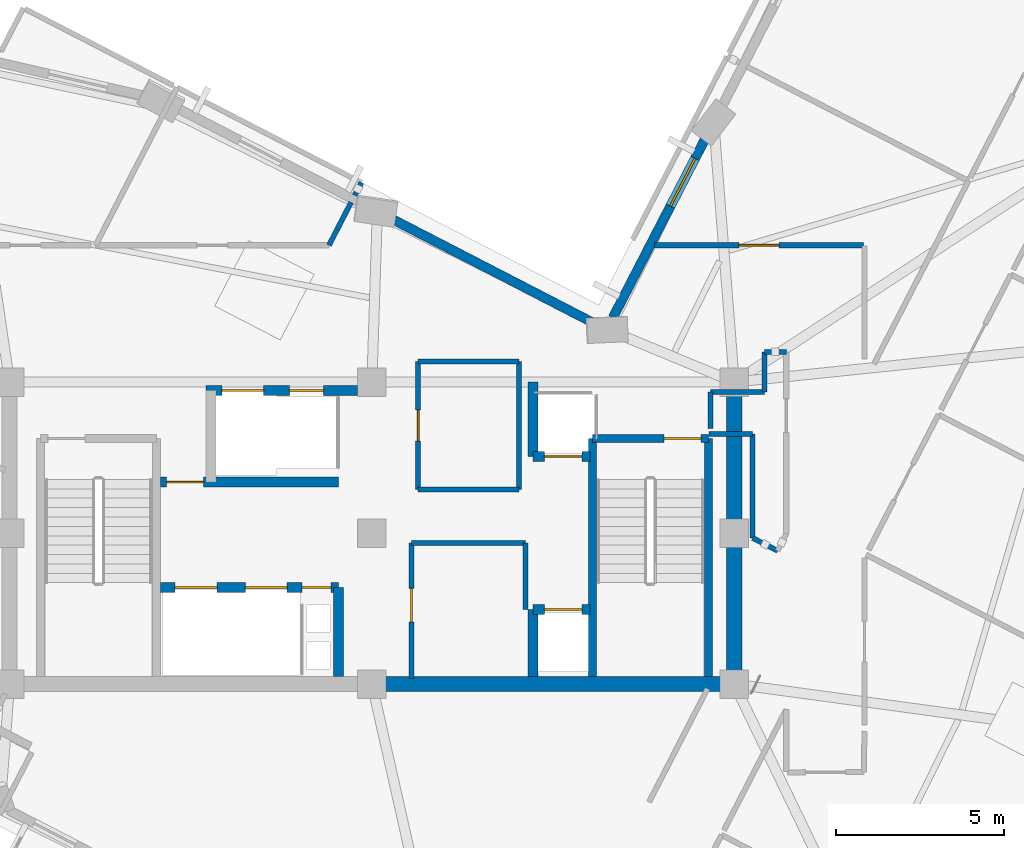
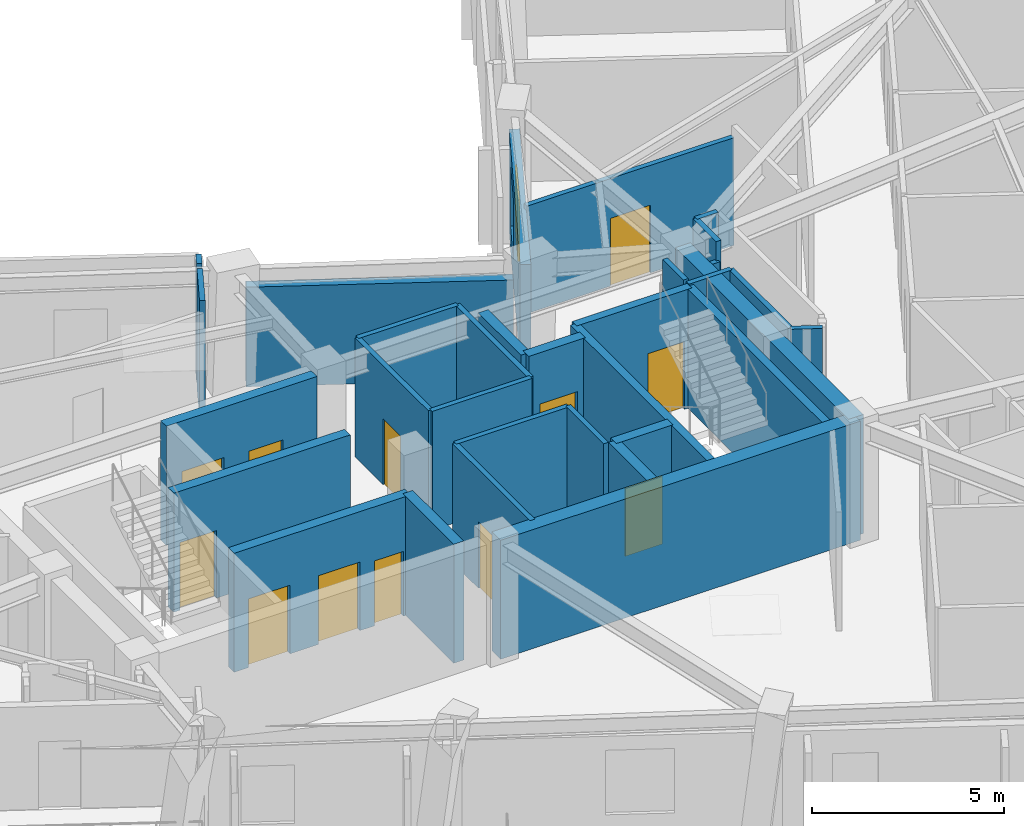
# One storey, part 6 of 11: 32 walls, 12 doors, 1 window, 13 openings.
"""IFC4 building model written with IfcOpenShell, lengths in metres."""

from ifc_helpers import new_model, si_unit, direction, frame, frame_2d, origin, place, context, subcontext, project, spatial, rectangle, extrude, material, layer, layer_set, type_object, element, fill, save


model = new_model("IFC4")

# Units and contexts
model_context = context("Model", 3, precision=1e-05, world=origin(), true_north=direction((0.0, 1.0)))
body_context = subcontext(model_context, "Body", "Model", "MODEL_VIEW")
ifc_project = project(units=[si_unit("LENGTHUNIT", "METRE"), si_unit("AREAUNIT", "SQUARE_METRE"), si_unit("VOLUMEUNIT", "CUBIC_METRE"), si_unit("PLANEANGLEUNIT", "RADIAN"), si_unit("MASSUNIT", "GRAM", prefix="KILO")], contexts=[model_context])

# Site, building, storey
site_placement = place(None, origin())
site = spatial("IfcSite", under=ifc_project, at=site_placement, CompositionType="ELEMENT")
building_placement = place(site_placement, origin())
building = spatial("IfcBuilding", under=site, at=building_placement, Name="Gaonmaruhae Medical Tower", CompositionType="ELEMENT")
storey_placement = place(building_placement, frame((0.0, 0.0, 292.60009765625)))
storey = spatial("IfcBuildingStorey", under=building, at=storey_placement, Name="L70", CompositionType="ELEMENT", Elevation=292.60009765625)

# Walls
ifc_material_1 = material(Name="Concrete C50/60", Category="concrete")
ifc_layer_1 = layer(ifc_material_1, 0.449951171875)
ifc_layer_set_1 = layer_set([ifc_layer_1], Name="Concrete C50/60")
wall_type_1 = type_object("IfcWallType", Name="CW-450 Upper Core Shear Wall", PredefinedType="SHEAR", material=ifc_layer_set_1)
wall_1_placement = place(storey_placement, frame((24.800048828125, 7.800048828125, 0.0), z_axis=(0.0, 0.0, 1.0), x_axis=(1.0, 0.0, 0.0)))
element("IfcWall", 1, at=wall_1_placement, inside=storey, type_object=wall_type_1, Name="L70 Core Shear Wall CSW-S2", PredefinedType="SHEAR", context=body_context, shape_type="SweptSolid", body=[
    extrude(rectangle(XDim=10.800048828125, YDim=0.449951171875, at=frame_2d((5.39990234375, 0.0))), origin(), (0.0, 0.0, 1.0), 3.77978515625),
])
wall_2_placement = place(storey_placement, frame((35.60009765625, 7.800048828125, 0.0), z_axis=(0.0, 0.0, 1.0), x_axis=(0.0, 1.0, 0.0)))
element("IfcWall", 2, at=wall_2_placement, inside=storey, type_object=wall_type_1, Name="L70 Core Shear Wall CSW-E1", PredefinedType="SHEAR", context=body_context, shape_type="SweptSolid", body=[
    extrude(rectangle(XDim=9.0, YDim=0.449951171875, at=frame_2d((4.5, 0.0))), origin(), (0.0, 0.0, 1.0), 3.77978515625),
])

# Wall, opening, window
ifc_material_2 = material(Name="Precast concrete C45/55", Category="concrete")
ifc_layer_2 = layer(ifc_material_2, 0.280029296875)
ifc_layer_set_2 = layer_set([ifc_layer_2], Name="Precast concrete C45/55")
wall_type_2 = type_object("IfcWallType", Name="EW-280 Upper Precast Masonry-Frame Facade Wall", PredefinedType="SOLIDWALL", material=ifc_layer_set_2)
wall_3_placement = place(storey_placement, frame((31.9814453125, 18.720703125, 0.0), z_axis=(0.0, 0.0, 1.0), x_axis=(0.458658067714, 0.888612838598, 0.0)))
wall_3 = element("IfcWall", 3, at=wall_3_placement, inside=storey, type_object=wall_type_2, Name="L70 Precast Masonry-Frame Wall EN02-KN01", PredefinedType="SOLIDWALL", context=body_context, shape_type="SweptSolid", body=[
    extrude(rectangle(XDim=6.158203125, YDim=0.280029296875, at=frame_2d((3.0791015625, 0.0))), origin(), (0.0, 0.0, 1.0), 3.264892578125),
])
opening_1_placement = place(wall_3_placement, frame((3.740966796875, 0.0, 0.75)))
opening_1 = element("IfcOpeningElement", 4, at=opening_1_placement, cuts=wall_3, Name="Opening WN-01", PredefinedType="OPENING", context=body_context, shape_type="SweptSolid", body=[
    extrude(rectangle(XDim=1.60009765625, YDim=1.949951171875, at=frame_2d((0.800048828125, 0.97509765625))), frame((0.0, 0.14990234375, 0.0), z_axis=(0.0, -1.0, 0.0), x_axis=(1.0, 0.0, 0.0)), (0.0, 0.0, 1.0), 0.300048828125),
])
ifc_material_3 = material(Name="Anodised aluminium and Low-E double glazing", Category="aluminium")
window_type = type_object("IfcWindowType", Name="WN-01 Ward Punched Acoustic Window 1600x1950", PartitioningType="SINGLE_PANEL", PredefinedType="WINDOW", material=ifc_material_3)
window_placement = place(opening_1_placement, origin())
window = element("IfcWindow", 5, at=window_placement, inside=storey, type_object=window_type, Name="L70 Modular Facade Window EN02", OverallHeight=1.949951171875, OverallWidth=1.60009765625, PartitioningType="SINGLE_PANEL", PredefinedType="WINDOW", context=body_context, shape_type="SweptSolid", body=[
    extrude(rectangle(XDim=1.60009765625, YDim=1.949951171875, at=frame_2d((0.800048828125, 0.97509765625))), frame((0.0, 0.030029296875, 0.0), z_axis=(0.0, -1.0, 0.0), x_axis=(1.0, 0.0, 0.0)), (0.0, 0.0, 1.0), 0.06005859375),
])
fill(opening_1, window)

# Wall
wall_4_placement = place(storey_placement, frame((25.3076171875, 21.708984375, 0.0), z_axis=(0.0, 0.0, 1.0), x_axis=(0.888620195741, -0.458643813565, 0.0)))
element("IfcWall", 6, at=wall_4_placement, inside=storey, type_object=wall_type_2, Name="L70 Precast Masonry-Frame Wall KN01-NE01", PredefinedType="SOLIDWALL", context=body_context, shape_type="SweptSolid", body=[
    extrude(rectangle(XDim=6.957763671875, YDim=0.280029296875, at=frame_2d((3.47900390625, 0.0))), origin(), (0.0, 0.0, 1.0), 3.164794921875),
])

# Wall, opening, door
ifc_material_4 = material(Name="Gypsum board partition", Category="gypsum")
ifc_layer_3 = layer(ifc_material_4, 0.14990234375)
ifc_layer_set_3 = layer_set([ifc_layer_3], Name="Gypsum board partition")
wall_type_3 = type_object("IfcWallType", Name="PW-150 Rated Clinical Corridor Partition", PredefinedType="PARTITIONING", material=ifc_layer_set_3)
wall_5_placement = place(storey_placement, frame((25.97998046875, 7.9599609375, 0.0), z_axis=(0.0, 0.0, 1.0), x_axis=(0.0, 1.0, 0.0)))
wall_5 = element("IfcWall", 7, at=wall_5_placement, inside=storey, type_object=wall_type_3, Name="L70 Interior Partition L70-RCL1-1", PredefinedType="PARTITIONING", context=body_context, shape_type="SweptSolid", body=[
    extrude(rectangle(XDim=4.0400390625, YDim=0.14990234375, at=frame_2d((2.02001953125, 0.0))), origin(), (0.0, 0.0, 1.0), 3.77978515625),
])
opening_2_placement = place(wall_5_placement, frame((1.695068359375, 0.0, 0.0)))
opening_2 = element("IfcOpeningElement", 8, at=opening_2_placement, cuts=wall_5, Name="Opening CD-01", PredefinedType="OPENING", context=body_context, shape_type="SweptSolid", body=[
    extrude(rectangle(XDim=1.0, YDim=2.1201171875, at=frame_2d((0.5, 1.06005859375))), frame((0.0, 0.0849609375, 0.0), z_axis=(0.0, -1.0, 0.0), x_axis=(1.0, 0.0, 0.0)), (0.0, 0.0, 1.0), 0.169921875),
])
ifc_material_5 = material(Name="Antimicrobial laminate timber fire door", Category="wood")
door_type_1 = type_object("IfcDoorType", Name="CD-01 Consultation & Physician Office Door 1000x2120", OperationType="NOTDEFINED", PredefinedType="DOOR", material=ifc_material_5)
door_1_placement = place(opening_2_placement, origin())
door_1 = element("IfcDoor", 9, at=door_1_placement, inside=storey, type_object=door_type_1, Name="L70 Clinical Telemetry and Medication Room Door", OperationType="SINGLE_SWING_RIGHT", OverallHeight=2.1201171875, OverallWidth=1.0, PredefinedType="DOOR", context=body_context, shape_type="SweptSolid", body=[
    extrude(rectangle(XDim=1.0, YDim=2.1201171875, at=frame_2d((0.5, 1.06005859375))), frame((0.0, 0.02490234375, 0.0), z_axis=(0.0, -1.0, 0.0), x_axis=(1.0, 0.0, 0.0)), (0.0, 0.0, 1.0), 0.050048828125),
])
fill(opening_2, door_1)

# Walls
wall_6_placement = place(storey_placement, frame((25.97998046875, 12.0, 0.0), z_axis=(0.0, 0.0, 1.0), x_axis=(1.0, 0.0, 0.0)))
element("IfcWall", 10, at=wall_6_placement, inside=storey, type_object=wall_type_3, Name="L70 Interior Partition L70-RCL1-2", PredefinedType="PARTITIONING", context=body_context, shape_type="SweptSolid", body=[
    extrude(rectangle(XDim=3.39990234375, YDim=0.14990234375, at=frame_2d((1.699951171875, 0.0))), origin(), (0.0, 0.0, 1.0), 3.77978515625),
])
wall_7_placement = place(storey_placement, frame((29.3798828125, 12.0, 0.0), z_axis=(0.0, 0.0, 1.0), x_axis=(0.0, -1.0, 0.0)))
element("IfcWall", 11, at=wall_7_placement, inside=storey, type_object=wall_type_3, Name="L70 Interior Partition L70-RCL1-3", PredefinedType="PARTITIONING", context=body_context, shape_type="SweptSolid", body=[
    extrude(rectangle(XDim=1.97998046875, YDim=0.14990234375, at=frame_2d((0.989990234375, 0.0))), origin(), (0.0, 0.0, 1.0), 3.77978515625),
])

# Wall, opening, door
wall_8_placement = place(storey_placement, frame((26.179931640625, 13.60009765625, 0.0), z_axis=(0.0, 0.0, 1.0), x_axis=(0.0, 1.0, 0.0)))
wall_8 = element("IfcWall", 12, at=wall_8_placement, inside=storey, type_object=wall_type_3, Name="L70 Interior Partition L70-RCL2-4", PredefinedType="PARTITIONING", context=body_context, shape_type="SweptSolid", body=[
    extrude(rectangle(XDim=3.81982421875, YDim=0.14990234375, at=frame_2d((1.909912109375, 0.0))), origin(), (0.0, 0.0, 1.0), 3.77978515625),
])
opening_3_placement = place(wall_8_placement, frame((1.449951171875, 0.0, 0.0)))
opening_3 = element("IfcOpeningElement", 13, at=opening_3_placement, cuts=wall_8, Name="Opening UD-01", PredefinedType="OPENING", context=body_context, shape_type="SweptSolid", body=[
    extrude(rectangle(XDim=0.919921875, YDim=2.10009765625, at=frame_2d((0.4599609375, 1.050048828125))), frame((0.0, 0.0849609375, 0.0), z_axis=(0.0, -1.0, 0.0), x_axis=(1.0, 0.0, 0.0)), (0.0, 0.0, 1.0), 0.169921875),
])
ifc_material_6 = material(Name="Powder-coated steel utility door", Category="steel")
door_type_2 = type_object("IfcDoorType", Name="UD-01 Toilet, Utility & Housekeeping Door 920x2100", OperationType="NOTDEFINED", PredefinedType="DOOR", material=ifc_material_6)
door_2_placement = place(opening_3_placement, origin())
door_2 = element("IfcDoor", 14, at=door_2_placement, inside=storey, type_object=door_type_2, Name="L70 Accessible Staff Toilet Door", OperationType="SINGLE_SWING_LEFT", OverallHeight=2.10009765625, OverallWidth=0.919921875, PredefinedType="DOOR", context=body_context, shape_type="SweptSolid", body=[
    extrude(rectangle(XDim=0.919921875, YDim=2.10009765625, at=frame_2d((0.4599609375, 1.050048828125))), frame((0.0, 0.02490234375, 0.0), z_axis=(0.0, -1.0, 0.0), x_axis=(1.0, 0.0, 0.0)), (0.0, 0.0, 1.0), 0.050048828125),
])
fill(opening_3, door_2)

# Walls
wall_9_placement = place(storey_placement, frame((26.179931640625, 17.419921875, 0.0), z_axis=(0.0, 0.0, 1.0), x_axis=(1.0, 0.0, 0.0)))
element("IfcWall", 15, at=wall_9_placement, inside=storey, type_object=wall_type_3, Name="L70 Interior Partition L70-RCL2-5", PredefinedType="PARTITIONING", context=body_context, shape_type="SweptSolid", body=[
    extrude(rectangle(XDim=3.0, YDim=0.14990234375, at=frame_2d((1.5, 0.0))), origin(), (0.0, 0.0, 1.0), 3.77978515625),
])
wall_10_placement = place(storey_placement, frame((29.179931640625, 17.419921875, 0.0), z_axis=(0.0, 0.0, 1.0), x_axis=(0.0, -1.0, 0.0)))
element("IfcWall", 16, at=wall_10_placement, inside=storey, type_object=wall_type_3, Name="L70 Interior Partition L70-RCL2-6", PredefinedType="PARTITIONING", context=body_context, shape_type="SweptSolid", body=[
    extrude(rectangle(XDim=3.81982421875, YDim=0.14990234375, at=frame_2d((1.909912109375, 0.0))), origin(), (0.0, 0.0, 1.0), 3.77978515625),
])
wall_11_placement = place(storey_placement, frame((29.179931640625, 13.60009765625, 0.0), z_axis=(0.0, 0.0, 1.0), x_axis=(-1.0, 0.0, 0.0)))
element("IfcWall", 17, at=wall_11_placement, inside=storey, type_object=wall_type_3, Name="L70 Interior Partition L70-RCL2-7", PredefinedType="PARTITIONING", context=body_context, shape_type="SweptSolid", body=[
    extrude(rectangle(XDim=3.0, YDim=0.14990234375, at=frame_2d((1.5, 0.0))), origin(), (0.0, 0.0, 1.0), 3.77978515625),
])
wall_12_placement = place(storey_placement, frame((34.889892578125, 15.419921875, 0.0), z_axis=(0.0, 0.0, 1.0), x_axis=(0.0, 1.0, 0.0)))
element("IfcWall", 18, at=wall_12_placement, inside=storey, type_object=wall_type_3, Name="L70 Interior Partition L70-IE02-61", PredefinedType="PARTITIONING", context=body_context, shape_type="SweptSolid", body=[
    extrude(rectangle(XDim=1.080078125, YDim=0.14990234375, at=frame_2d((0.5400390625, 0.0))), origin(), (0.0, 0.0, 1.0), 3.77978515625),
])
wall_13_placement = place(storey_placement, frame((34.889892578125, 16.5, 0.0), z_axis=(0.0, 0.0, 1.0), x_axis=(1.0, 0.0, 0.0)))
element("IfcWall", 19, at=wall_13_placement, inside=storey, type_object=wall_type_3, Name="L70 Interior Partition L70-IE02-62", PredefinedType="PARTITIONING", context=body_context, shape_type="SweptSolid", body=[
    extrude(rectangle(XDim=1.610107421875, YDim=0.14990234375, at=frame_2d((0.80517578125, 0.0))), origin(), (0.0, 0.0, 1.0), 3.164794921875),
])
wall_14_placement = place(storey_placement, frame((36.5, 16.5, 0.0), z_axis=(0.0, 0.0, 1.0), x_axis=(0.0, 1.0, 0.0)))
element("IfcWall", 20, at=wall_14_placement, inside=storey, type_object=wall_type_3, Name="L70 Interior Partition L70-IE02-63", PredefinedType="PARTITIONING", context=body_context, shape_type="SweptSolid", body=[
    extrude(rectangle(XDim=1.199951171875, YDim=0.14990234375, at=frame_2d((0.60009765625, 0.0))), origin(), (0.0, 0.0, 1.0), 3.77978515625),
])
wall_15_placement = place(storey_placement, frame((36.5, 17.699951171875, 0.0), z_axis=(0.0, 0.0, 1.0), x_axis=(1.0, 0.0, 0.0)))
element("IfcWall", 21, at=wall_15_placement, inside=storey, type_object=wall_type_3, Name="L70 Interior Partition L70-IE02-64", PredefinedType="PARTITIONING", context=body_context, shape_type="SweptSolid", body=[
    extrude(rectangle(XDim=0.64990234375, YDim=0.14990234375, at=frame_2d((0.324951171875, 0.0))), origin(), (0.0, 0.0, 1.0), 3.77978515625),
])
wall_16_placement = place(storey_placement, frame((36.89111328125, 11.77197265625, 0.0), z_axis=(0.0, 0.0, 1.0), x_axis=(-0.888378170126, 0.459112433771, 0.0)))
element("IfcWall", 22, at=wall_16_placement, inside=storey, type_object=wall_type_3, Name="L70 Interior Partition L70-IE02-67", PredefinedType="PARTITIONING", context=body_context, shape_type="SweptSolid", body=[
    extrude(rectangle(XDim=0.834228515625, YDim=0.14990234375, at=frame_2d((0.4169921875, 0.0))), origin(), (0.0, 0.0, 1.0), 3.77978515625),
])
wall_17_placement = place(storey_placement, frame((36.14990234375, 12.155029296875, 0.0), z_axis=(0.0, 0.0, 1.0), x_axis=(0.0, 1.0, 0.0)))
element("IfcWall", 23, at=wall_17_placement, inside=storey, type_object=wall_type_3, Name="L70 Interior Partition L70-IE02-68", PredefinedType="PARTITIONING", context=body_context, shape_type="SweptSolid", body=[
    extrude(rectangle(XDim=3.10498046875, YDim=0.14990234375, at=frame_2d((1.552490234375, 0.0))), origin(), (0.0, 0.0, 1.0), 3.77978515625),
])
wall_18_placement = place(storey_placement, frame((36.14990234375, 15.260009765625, 0.0), z_axis=(0.0, 0.0, 1.0), x_axis=(-1.0, 0.0, 0.0)))
element("IfcWall", 24, at=wall_18_placement, inside=storey, type_object=wall_type_3, Name="L70 Interior Partition L70-IE02-69", PredefinedType="PARTITIONING", context=body_context, shape_type="SweptSolid", body=[
    extrude(rectangle(XDim=1.2998046875, YDim=0.14990234375, at=frame_2d((0.64990234375, 0.0))), origin(), (0.0, 0.0, 1.0), 3.77978515625),
])

# Wall, opening, door
wall_19_placement = place(storey_placement, frame((39.449951171875, 20.8798828125, 0.0), z_axis=(0.0, 0.0, 1.0), x_axis=(-1.0, 0.0, 0.0)))
wall_19 = element("IfcWall", 25, at=wall_19_placement, inside=storey, type_object=wall_type_3, Name="L70 Interior Partition L70-IE03-70", PredefinedType="PARTITIONING", context=body_context, shape_type="SweptSolid", body=[
    extrude(rectangle(XDim=6.224853515625, YDim=0.14990234375, at=frame_2d((3.1123046875, 0.0))), origin(), (0.0, 0.0, 1.0), 3.414794921875),
])
opening_4_placement = place(wall_19_placement, frame((2.512451171875, 0.0, 0.0)))
opening_4 = element("IfcOpeningElement", 26, at=opening_4_placement, cuts=wall_19, Name="Opening CD-02", PredefinedType="OPENING", context=body_context, shape_type="SweptSolid", body=[
    extrude(rectangle(XDim=1.199951171875, YDim=2.14990234375, at=frame_2d((0.60009765625, 1.074951171875))), frame((0.0, 0.0849609375, 0.0), z_axis=(0.0, -1.0, 0.0), x_axis=(1.0, 0.0, 0.0)), (0.0, 0.0, 1.0), 0.169921875),
])
door_type_3 = type_object("IfcDoorType", Name="CD-02 Clinical Treatment & Procedure Door 1200x2150", OperationType="NOTDEFINED", PredefinedType="DOOR", material=ifc_material_5)
door_3_placement = place(opening_4_placement, origin())
door_3 = element("IfcDoor", 27, at=door_3_placement, inside=storey, type_object=door_type_3, Name="L70 Clean Medication Preparation Room Door", OperationType="SINGLE_SWING_RIGHT", OverallHeight=2.14990234375, OverallWidth=1.199951171875, PredefinedType="DOOR", context=body_context, shape_type="SweptSolid", body=[
    extrude(rectangle(XDim=1.199951171875, YDim=2.14990234375, at=frame_2d((0.60009765625, 1.074951171875))), frame((0.0, 0.02490234375, 0.0), z_axis=(0.0, -1.0, 0.0), x_axis=(1.0, 0.0, 0.0)), (0.0, 0.0, 1.0), 0.050048828125),
])
fill(opening_4, door_3)

# Walls
wall_20_placement = place(storey_placement, frame((24.486083984375, 22.751953125, 0.0), z_axis=(0.0, 0.0, 1.0), x_axis=(-0.460415496912, -0.887703537339, 0.0)))
element("IfcWall", 28, at=wall_20_placement, inside=storey, type_object=wall_type_3, Name="L70 Interior Partition L70-IN02-88", PredefinedType="PARTITIONING", context=body_context, shape_type="SweptSolid", body=[
    extrude(rectangle(XDim=0.434814453125, YDim=0.14990234375, at=frame_2d((0.21728515625, 0.0))), origin(), (0.0, 0.0, 1.0), 3.77978515625),
])
wall_21_placement = place(storey_placement, frame((24.180908203125, 22.160888671875, 0.0), z_axis=(0.0, 0.0, 1.0), x_axis=(-0.459026734085, -0.888422454351, 0.0)))
element("IfcWall", 29, at=wall_21_placement, inside=storey, type_object=wall_type_3, Name="L70 Interior Partition L70-IN02-89", PredefinedType="PARTITIONING", context=body_context, shape_type="SweptSolid", body=[
    extrude(rectangle(XDim=1.44189453125, YDim=0.14990234375, at=frame_2d((0.720947265625, 0.0))), origin(), (0.0, 0.0, 1.0), 3.77978515625),
])

# Wall, opening, door
ifc_layer_4 = layer(ifc_material_1, 0.239990234375)
ifc_layer_set_4 = layer_set([ifc_layer_4], Name="Concrete C50/60")
wall_type_4 = type_object("IfcWallType", Name="SW-240 Dogleg Stair Tight Shaft Wall", PredefinedType="SOLIDWALL", material=ifc_layer_set_4)
wall_22_placement = place(storey_placement, frame((31.3701171875, 15.1201171875, 0.0), z_axis=(0.0, 0.0, 1.0), x_axis=(1.0, 0.0, 0.0)))
wall_22 = element("IfcWall", 30, at=wall_22_placement, inside=storey, type_object=wall_type_4, Name="L70 ST-02 Stair Shaft Wall SHW-ST-02-N", PredefinedType="SOLIDWALL", context=body_context, shape_type="SweptSolid", body=[
    extrude(rectangle(XDim=3.4599609375, YDim=0.239990234375, at=frame_2d((1.72998046875, 0.0))), origin(), (0.0, 0.0, 1.0), 3.77978515625),
])
opening_5_placement = place(wall_22_placement, frame((2.139892578125, 0.0, 0.0)))
opening_5 = element("IfcOpeningElement", 31, at=opening_5_placement, cuts=wall_22, Name="Opening FD-01", PredefinedType="OPENING", context=body_context, shape_type="SweptSolid", body=[
    extrude(rectangle(XDim=1.10009765625, YDim=2.14990234375, at=frame_2d((0.550048828125, 1.074951171875))), frame((0.0, 0.1298828125, 0.0), z_axis=(0.0, -1.0, 0.0), x_axis=(1.0, 0.0, 0.0)), (0.0, 0.0, 1.0), 0.260009765625),
])
ifc_material_7 = material(Name="Powder-coated steel fire door", Category="steel")
door_type_4 = type_object("IfcDoorType", Name="FD-01 Escape Stair Protected Fire Door 1100x2150", OperationType="NOTDEFINED", PredefinedType="DOOR", material=ifc_material_7)
door_4_placement = place(opening_5_placement, origin())
door_4 = element("IfcDoor", 32, at=door_4_placement, inside=storey, type_object=door_type_4, Name="L70 ST-02 Protected Escape Stair Door", OperationType="SINGLE_SWING_LEFT", OverallHeight=2.14990234375, OverallWidth=1.10009765625, PredefinedType="DOOR", context=body_context, shape_type="SweptSolid", body=[
    extrude(rectangle(XDim=1.10009765625, YDim=2.14990234375, at=frame_2d((0.550048828125, 1.074951171875))), frame((0.0, 0.02490234375, 0.0), z_axis=(0.0, -1.0, 0.0), x_axis=(1.0, 0.0, 0.0)), (0.0, 0.0, 1.0), 0.050048828125),
])
fill(opening_5, door_4)

# Walls
for number, where, z_axis, x_axis, name in (
    (33, (34.830078125, 15.1201171875, 0.0), (0.0, 0.0, 1.0), (0.0, -1.0, 0.0), "L70 ST-02 Stair Shaft Wall SHW-ST-02-E"),
    (34, (31.3701171875, 8.02490234375, 0.0), (0.0, 0.0, 1.0), (0.0, 1.0, 0.0), "L70 ST-02 Stair Shaft Wall SHW-ST-02-W"),
):
    element("IfcWall", number, at=place(storey_placement, frame(where, z_axis=z_axis, x_axis=x_axis)), inside=storey, type_object=wall_type_4, Name=name, PredefinedType="SOLIDWALL", context=body_context, shape_type="SweptSolid", body=[
        extrude(rectangle(XDim=7.09521484375, YDim=0.239990234375, at=frame_2d((3.547607421875, 0.0))), origin(), (0.0, 0.0, 1.0), 3.77978515625),
    ])

# Wall, openings, doors
ifc_layer_5 = layer(ifc_material_1, 0.300048828125)
ifc_layer_set_5 = layer_set([ifc_layer_5], Name="Concrete C50/60")
wall_type_5 = type_object("IfcWallType", Name="SW-300 Stair & Lift Hoistway Shaft Wall", PredefinedType="SOLIDWALL", material=ifc_layer_set_5)
wall_23_placement = place(storey_placement, frame((19.85009765625, 16.550048828125, 0.0), z_axis=(0.0, 0.0, 1.0), x_axis=(1.0, 0.0, 0.0)))
wall_23 = element("IfcWall", 35, at=wall_23_placement, inside=storey, type_object=wall_type_5, Name="L70 Core Shear Wall CSW-NB", PredefinedType="SOLIDWALL", context=body_context, shape_type="SweptSolid", body=[
    extrude(rectangle(XDim=4.52490234375, YDim=0.300048828125, at=frame_2d((2.262451171875, 0.0))), origin(), (0.0, 0.0, 1.0), 3.77978515625),
])
opening_6_placement = place(wall_23_placement, frame((0.47509765625, 0.0, 0.0)))
opening_6 = element("IfcOpeningElement", 36, at=opening_6_placement, cuts=wall_23, Name="Opening LD-F1", PredefinedType="OPENING", context=body_context, shape_type="SweptSolid", body=[
    extrude(rectangle(XDim=1.25, YDim=2.179931640625, at=frame_2d((0.625, 1.08984375))), frame((0.0, 0.16015625, 0.0), z_axis=(0.0, -1.0, 0.0), x_axis=(1.0, 0.0, 0.0)), (0.0, 0.0, 1.0), 0.320068359375),
])
opening_7_placement = place(wall_23_placement, frame((2.489990234375, 0.0, 0.0)))
opening_7 = element("IfcOpeningElement", 37, at=opening_7_placement, cuts=wall_23, Name="Opening LD-S1", PredefinedType="OPENING", context=body_context, shape_type="SweptSolid", body=[
    extrude(rectangle(XDim=1.02001953125, YDim=2.1201171875, at=frame_2d((0.510009765625, 1.06005859375))), frame((0.0, 0.16015625, 0.0), z_axis=(0.0, -1.0, 0.0), x_axis=(1.0, 0.0, 0.0)), (0.0, 0.0, 1.0), 0.320068359375),
])
ifc_material_8 = material(Name="Brushed stainless steel 316L landing door", Category="steel")
door_type_5 = type_object("IfcDoorType", Name="LD-F1 Firefighting & Bed Lift Sliding Landing Door 1250x2180", OperationType="NOTDEFINED", PredefinedType="DOOR", material=ifc_material_8)
door_5_placement = place(opening_6_placement, origin())
door_5 = element("IfcDoor", 38, at=door_5_placement, inside=storey, type_object=door_type_5, Name="L70 Service/Bed Lift Landing Door BDL-01", OperationType="DOUBLE_DOOR_SLIDING", OverallHeight=2.179931640625, OverallWidth=1.25, PredefinedType="DOOR", context=body_context, shape_type="SweptSolid", body=[
    extrude(rectangle(XDim=1.25, YDim=2.179931640625, at=frame_2d((0.625, 1.08984375))), frame((0.0, 0.02490234375, 0.0), z_axis=(0.0, -1.0, 0.0), x_axis=(1.0, 0.0, 0.0)), (0.0, 0.0, 1.0), 0.050048828125),
])
fill(opening_6, door_5)
ifc_material_9 = material(Name="Brushed stainless steel 304 landing door", Category="steel")
door_type_6 = type_object("IfcDoorType", Name="LD-S1 Service Lift Sliding Landing Door 1020x2120", OperationType="NOTDEFINED", PredefinedType="DOOR", material=ifc_material_9)
door_6_placement = place(opening_7_placement, origin())
door_6 = element("IfcDoor", 39, at=door_6_placement, inside=storey, type_object=door_type_6, Name="L70 Service/Bed Lift Landing Door SVL-01", OperationType="SLIDING_TO_LEFT", OverallHeight=2.1201171875, OverallWidth=1.02001953125, PredefinedType="DOOR", context=body_context, shape_type="SweptSolid", body=[
    extrude(rectangle(XDim=1.02001953125, YDim=2.1201171875, at=frame_2d((0.510009765625, 1.06005859375))), frame((0.0, 0.02490234375, 0.0), z_axis=(0.0, -1.0, 0.0), x_axis=(1.0, 0.0, 0.0)), (0.0, 0.0, 1.0), 0.050048828125),
])
fill(opening_7, door_6)

wall_24_placement = place(storey_placement, frame((18.5, 10.679931640625, 0.0), z_axis=(0.0, 0.0, 1.0), x_axis=(1.0, 0.0, 0.0)))
wall_24 = element("IfcWall", 40, at=wall_24_placement, inside=storey, type_object=wall_type_5, Name="L70 Shaft Enclosure Wall SHW-FFN", PredefinedType="SOLIDWALL", context=body_context, shape_type="SweptSolid", body=[
    extrude(rectangle(XDim=5.300048828125, YDim=0.300048828125, at=frame_2d((2.64990234375, 0.0))), origin(), (0.0, 0.0, 1.0), 3.77978515625),
])
opening_8_placement = place(wall_24_placement, frame((4.219970703125, 0.0, 0.0)))
opening_8 = element("IfcOpeningElement", 41, at=opening_8_placement, cuts=wall_24, Name="Opening AD-01", PredefinedType="OPENING", context=body_context, shape_type="SweptSolid", body=[
    extrude(rectangle(XDim=0.860107421875, YDim=2.06005859375, at=frame_2d((0.43017578125, 1.030029296875))), frame((0.0, 0.16015625, 0.0), z_axis=(0.0, -1.0, 0.0), x_axis=(1.0, 0.0, 0.0)), (0.0, 0.0, 1.0), 0.320068359375),
])
opening_9_placement = place(wall_24_placement, frame((0.425048828125, 0.0, 0.0)))
opening_9 = element("IfcOpeningElement", 42, at=opening_9_placement, cuts=wall_24, Name="Opening LD-F1", PredefinedType="OPENING", context=body_context, shape_type="SweptSolid", body=[
    extrude(rectangle(XDim=1.25, YDim=2.179931640625, at=frame_2d((0.625, 1.08984375))), frame((0.0, 0.16015625, 0.0), z_axis=(0.0, -1.0, 0.0), x_axis=(1.0, 0.0, 0.0)), (0.0, 0.0, 1.0), 0.320068359375),
])
opening_10_placement = place(wall_24_placement, frame((2.52490234375, 0.0, 0.0)))
opening_10 = element("IfcOpeningElement", 43, at=opening_10_placement, cuts=wall_24, Name="Opening LD-F1", PredefinedType="OPENING", context=body_context, shape_type="SweptSolid", body=[
    extrude(rectangle(XDim=1.25, YDim=2.179931640625, at=frame_2d((0.625, 1.08984375))), frame((0.0, 0.16015625, 0.0), z_axis=(0.0, -1.0, 0.0), x_axis=(1.0, 0.0, 0.0)), (0.0, 0.0, 1.0), 0.320068359375),
])
ifc_material_10 = material(Name="Powder-coated steel access door", Category="steel")
door_type_7 = type_object("IfcDoorType", Name="AD-01 Riser & Closet Access Fire Door 860x2060", OperationType="NOTDEFINED", PredefinedType="DOOR", material=ifc_material_10)
door_7_placement = place(opening_8_placement, origin())
door_7 = element("IfcDoor", 44, at=door_7_placement, inside=storey, type_object=door_type_7, Name="L70 Medical Gas and MEP Riser Access Door", OperationType="SINGLE_SWING_RIGHT", OverallHeight=2.06005859375, OverallWidth=0.860107421875, PredefinedType="DOOR", context=body_context, shape_type="SweptSolid", body=[
    extrude(rectangle(XDim=0.860107421875, YDim=2.06005859375, at=frame_2d((0.43017578125, 1.030029296875))), frame((0.0, 0.02490234375, 0.0), z_axis=(0.0, -1.0, 0.0), x_axis=(1.0, 0.0, 0.0)), (0.0, 0.0, 1.0), 0.050048828125),
])
fill(opening_8, door_7)
door_8_placement = place(opening_9_placement, origin())
door_8 = element("IfcDoor", 45, at=door_8_placement, inside=storey, type_object=door_type_5, Name="L70 Firefighting Lift Landing Door FFL-01", OperationType="DOUBLE_DOOR_SLIDING", OverallHeight=2.179931640625, OverallWidth=1.25, PredefinedType="DOOR", context=body_context, shape_type="SweptSolid", body=[
    extrude(rectangle(XDim=1.25, YDim=2.179931640625, at=frame_2d((0.625, 1.08984375))), frame((0.0, 0.02490234375, 0.0), z_axis=(0.0, -1.0, 0.0), x_axis=(1.0, 0.0, 0.0)), (0.0, 0.0, 1.0), 0.050048828125),
])
fill(opening_9, door_8)
door_9_placement = place(opening_10_placement, origin())
door_9 = element("IfcDoor", 46, at=door_9_placement, inside=storey, type_object=door_type_5, Name="L70 Firefighting Lift Landing Door FFL-02", OperationType="DOUBLE_DOOR_SLIDING", OverallHeight=2.179931640625, OverallWidth=1.25, PredefinedType="DOOR", context=body_context, shape_type="SweptSolid", body=[
    extrude(rectangle(XDim=1.25, YDim=2.179931640625, at=frame_2d((0.625, 1.08984375))), frame((0.0, 0.02490234375, 0.0), z_axis=(0.0, -1.0, 0.0), x_axis=(1.0, 0.0, 0.0)), (0.0, 0.0, 1.0), 0.050048828125),
])
fill(opening_10, door_9)

# Wall, opening, door
wall_25_placement = place(storey_placement, frame((18.5, 13.820068359375, 0.0), z_axis=(0.0, 0.0, 1.0), x_axis=(1.0, 0.0, 0.0)))
wall_25 = element("IfcWall", 47, at=wall_25_placement, inside=storey, type_object=wall_type_5, Name="L70 Shaft Enclosure Wall SHW-FFL", PredefinedType="SOLIDWALL", context=body_context, shape_type="SweptSolid", body=[
    extrude(rectangle(XDim=5.300048828125, YDim=0.300048828125, at=frame_2d((2.64990234375, 0.0))), origin(), (0.0, 0.0, 1.0), 3.77978515625),
])
opening_11_placement = place(wall_25_placement, frame((0.179931640625, 0.0, 0.0)))
opening_11 = element("IfcOpeningElement", 48, at=opening_11_placement, cuts=wall_25, Name="Opening FD-01", PredefinedType="OPENING", context=body_context, shape_type="SweptSolid", body=[
    extrude(rectangle(XDim=1.10009765625, YDim=2.14990234375, at=frame_2d((0.550048828125, 1.074951171875))), frame((0.0, 0.16015625, 0.0), z_axis=(0.0, -1.0, 0.0), x_axis=(1.0, 0.0, 0.0)), (0.0, 0.0, 1.0), 0.320068359375),
])
door_10_placement = place(opening_11_placement, origin())
door_10 = element("IfcDoor", 49, at=door_10_placement, inside=storey, type_object=door_type_4, Name="L70 Firefighting Lobby Smoke Door", OperationType="SINGLE_SWING_LEFT", OverallHeight=2.14990234375, OverallWidth=1.10009765625, PredefinedType="DOOR", context=body_context, shape_type="SweptSolid", body=[
    extrude(rectangle(XDim=1.10009765625, YDim=2.14990234375, at=frame_2d((0.550048828125, 1.074951171875))), frame((0.0, 0.02490234375, 0.0), z_axis=(0.0, -1.0, 0.0), x_axis=(1.0, 0.0, 0.0)), (0.0, 0.0, 1.0), 0.050048828125),
])
fill(opening_11, door_10)

# Wall
wall_26_placement = place(storey_placement, frame((23.800048828125, 8.02490234375, 0.0), z_axis=(0.0, 0.0, 1.0), x_axis=(0.0, 1.0, 0.0)))
element("IfcWall", 50, at=wall_26_placement, inside=storey, type_object=wall_type_5, Name="L70 Shaft Enclosure Wall SHW-FFE", PredefinedType="SOLIDWALL", context=body_context, shape_type="SweptSolid", body=[
    extrude(rectangle(XDim=2.655029296875, YDim=0.300048828125, at=frame_2d((1.32763671875, 0.0))), origin(), (0.0, 0.0, 1.0), 3.77978515625),
])

# Wall, opening, door
wall_27_placement = place(storey_placement, frame((29.60009765625, 10.02001953125, 0.0), z_axis=(0.0, 0.0, 1.0), x_axis=(1.0, 0.0, 0.0)))
wall_27 = element("IfcWall", 51, at=wall_27_placement, inside=storey, type_object=wall_type_5, Name="L70 Shaft Enclosure Wall SHW-PLS", PredefinedType="SOLIDWALL", context=body_context, shape_type="SweptSolid", body=[
    extrude(rectangle(XDim=1.699951171875, YDim=0.300048828125, at=frame_2d((0.85009765625, 0.0))), origin(), (0.0, 0.0, 1.0), 3.77978515625),
])
opening_12_placement = place(wall_27_placement, frame((0.340087890625, 0.0, 0.0)))
opening_12 = element("IfcOpeningElement", 52, at=opening_12_placement, cuts=wall_27, Name="Opening LD-P1", PredefinedType="OPENING", context=body_context, shape_type="SweptSolid", body=[
    extrude(rectangle(XDim=1.1201171875, YDim=2.14990234375, at=frame_2d((0.56005859375, 1.074951171875))), frame((0.0, 0.16015625, 0.0), z_axis=(0.0, -1.0, 0.0), x_axis=(1.0, 0.0, 0.0)), (0.0, 0.0, 1.0), 0.320068359375),
])
door_type_8 = type_object("IfcDoorType", Name="LD-P1 Passenger Lift Sliding Landing Door 1120x2150", OperationType="NOTDEFINED", PredefinedType="DOOR", material=ifc_material_9)
door_11_placement = place(opening_12_placement, origin())
door_11 = element("IfcDoor", 53, at=door_11_placement, inside=storey, type_object=door_type_8, Name="L70 Passenger Lift Landing Door PL-H1", OperationType="DOUBLE_DOOR_SLIDING", OverallHeight=2.14990234375, OverallWidth=1.1201171875, PredefinedType="DOOR", context=body_context, shape_type="SweptSolid", body=[
    extrude(rectangle(XDim=1.1201171875, YDim=2.14990234375, at=frame_2d((0.56005859375, 1.074951171875))), frame((0.0, 0.02490234375, 0.0), z_axis=(0.0, -1.0, 0.0), x_axis=(1.0, 0.0, 0.0)), (0.0, 0.0, 1.0), 0.050048828125),
])
fill(opening_12, door_11)

# Wall
wall_28_placement = place(storey_placement, frame((29.60009765625, 8.02490234375, 0.0), z_axis=(0.0, 0.0, 1.0), x_axis=(0.0, 1.0, 0.0)))
element("IfcWall", 54, at=wall_28_placement, inside=storey, type_object=wall_type_5, Name="L70 Shaft Enclosure Wall SHW-PLD1", PredefinedType="SOLIDWALL", context=body_context, shape_type="SweptSolid", body=[
    extrude(rectangle(XDim=1.9951171875, YDim=0.300048828125, at=frame_2d((0.99755859375, 0.0))), origin(), (0.0, 0.0, 1.0), 3.77978515625),
])

# Wall, opening, door
wall_29_placement = place(storey_placement, frame((29.60009765625, 14.580078125, 0.0), z_axis=(0.0, 0.0, 1.0), x_axis=(1.0, 0.0, 0.0)))
wall_29 = element("IfcWall", 55, at=wall_29_placement, inside=storey, type_object=wall_type_5, Name="L70 Shaft Enclosure Wall SHW-PLN", PredefinedType="SOLIDWALL", context=body_context, shape_type="SweptSolid", body=[
    extrude(rectangle(XDim=1.699951171875, YDim=0.300048828125, at=frame_2d((0.85009765625, 0.0))), origin(), (0.0, 0.0, 1.0), 3.77978515625),
])
opening_13_placement = place(wall_29_placement, frame((0.340087890625, 0.0, 0.0)))
opening_13 = element("IfcOpeningElement", 56, at=opening_13_placement, cuts=wall_29, Name="Opening LD-P1", PredefinedType="OPENING", context=body_context, shape_type="SweptSolid", body=[
    extrude(rectangle(XDim=1.1201171875, YDim=2.14990234375, at=frame_2d((0.56005859375, 1.074951171875))), frame((0.0, 0.16015625, 0.0), z_axis=(0.0, -1.0, 0.0), x_axis=(1.0, 0.0, 0.0)), (0.0, 0.0, 1.0), 0.320068359375),
])
door_12_placement = place(opening_13_placement, origin())
door_12 = element("IfcDoor", 57, at=door_12_placement, inside=storey, type_object=door_type_8, Name="L70 Passenger Lift Landing Door PL-H2", OperationType="DOUBLE_DOOR_SLIDING", OverallHeight=2.14990234375, OverallWidth=1.1201171875, PredefinedType="DOOR", context=body_context, shape_type="SweptSolid", body=[
    extrude(rectangle(XDim=1.1201171875, YDim=2.14990234375, at=frame_2d((0.56005859375, 1.074951171875))), frame((0.0, 0.02490234375, 0.0), z_axis=(0.0, -1.0, 0.0), x_axis=(1.0, 0.0, 0.0)), (0.0, 0.0, 1.0), 0.050048828125),
])
fill(opening_13, door_12)

# Wall
wall_30_placement = place(storey_placement, frame((29.60009765625, 14.580078125, 0.0), z_axis=(0.0, 0.0, 1.0), x_axis=(0.0, 1.0, 0.0)))
element("IfcWall", 58, at=wall_30_placement, inside=storey, type_object=wall_type_5, Name="L70 Shaft Enclosure Wall SHW-PLD2", PredefinedType="SOLIDWALL", context=body_context, shape_type="SweptSolid", body=[
    extrude(rectangle(XDim=2.219970703125, YDim=0.300048828125, at=frame_2d((1.10986328125, 0.0))), origin(), (0.0, 0.0, 1.0), 3.77978515625),
])

save(model, "model.ifc")
